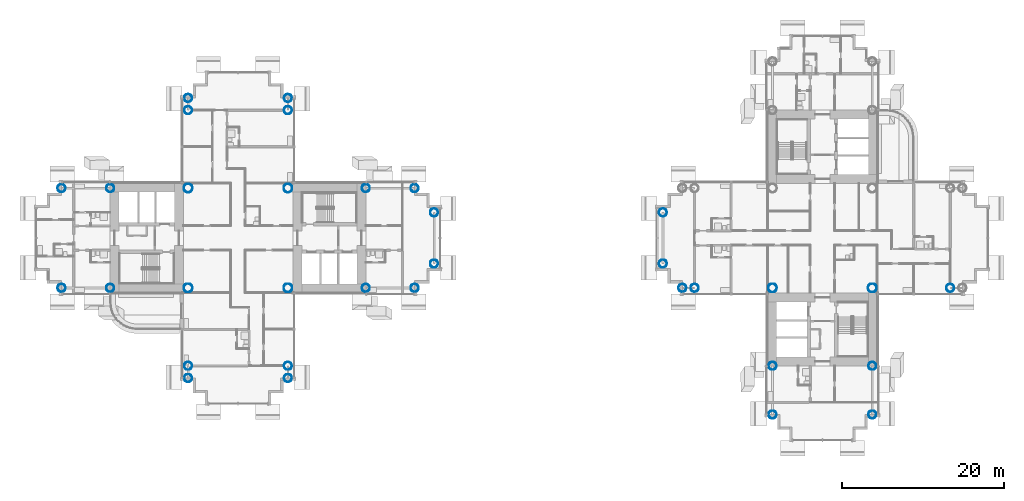
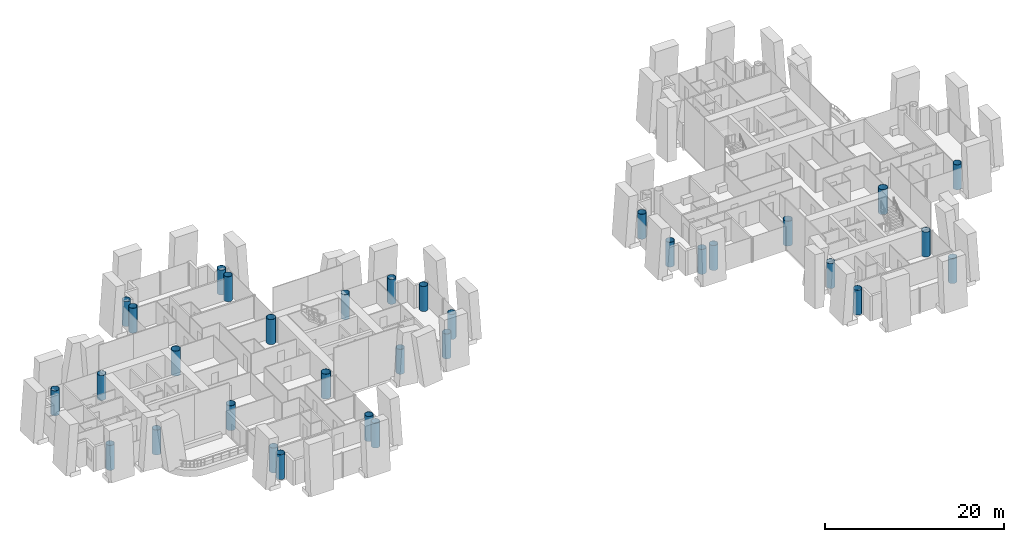
# One storey, part 1 of 24: 33 columns.
"""IFC4 building model written with IfcOpenShell, lengths in metres."""

from ifc_helpers import new_model, si_unit, direction, frame, origin, origin_2d, place, context, subcontext, project, spatial, hollow_circle, extrude, material, material_profile, profile_set, type_object, element, save


model = new_model("IFC4")

# Units and contexts
model_context = context("Model", 3, precision=1e-05, world=origin(), true_north=direction((0.0, 1.0)))
body_context = subcontext(model_context, "Body", "Model", "MODEL_VIEW")
ifc_project = project(units=[si_unit("LENGTHUNIT", "METRE"), si_unit("AREAUNIT", "SQUARE_METRE"), si_unit("VOLUMEUNIT", "CUBIC_METRE"), si_unit("PLANEANGLEUNIT", "RADIAN"), si_unit("MASSUNIT", "GRAM", prefix="KILO")], contexts=[model_context])

# Site, building, storey
site_placement = place(None, origin())
site = spatial("IfcSite", under=ifc_project, at=site_placement, CompositionType="ELEMENT")
building_placement = place(site_placement, origin())
building = spatial("IfcBuilding", under=site, at=building_placement, Name="Ipe Terrace Towers", CompositionType="ELEMENT")
storey_placement = place(building_placement, frame((0.0, 0.0, 38.10009765625)))
storey = spatial("IfcBuildingStorey", under=building, at=storey_placement, Name="L09", CompositionType="ELEMENT", Elevation=38.10009765625)

# Columns
ifc_material_1 = material(Name="Steel S355 tube with Concrete C60/75 fill", Category="concrete")
ifc_material_profile_1 = material_profile(ifc_material_1, hollow_circle(Radius=0.5, WallThickness=0.035888671875, at=origin_2d()), Name="CHS-1000x36")
ifc_profile_set_1 = profile_set([ifc_material_profile_1], Name="Steel S355 tube with Concrete C60/75 fill")
column_type_1 = type_object("IfcColumnType", Name="CH01 COLUMN CHS-1000x36", PredefinedType="COLUMN", material=ifc_profile_set_1)
for number, where, z_axis, x_axis, name in (
    (1, (-20.25, -6.14990234375, 0.0), (0.0, 0.0, 1.0), (1.0, 0.0, 0.0), "Column T1-C-A01"),
    (2, (-20.25, 6.14990234375, 0.0), (0.0, 0.0, 1.0), (1.0, 0.0, 0.0), "Column T1-C-A02"),
    (3, (-14.25, -6.14990234375, 0.0), (0.0, 0.0, 1.0), (1.0, 0.0, 0.0), "Column T1-C-A03"),
    (4, (-14.25, 6.14990234375, 0.0), (0.0, 0.0, 1.0), (1.0, 0.0, 0.0), "Column T1-C-A04"),
    (5, (-11.85009765625, -3.14990234375, 0.0), (0.0, 0.0, 1.0), (1.0, 0.0, 0.0), "Column T1-C-A05"),
    (6, (-11.85009765625, 3.14990234375, 0.0), (0.0, 0.0, 1.0), (1.0, 0.0, 0.0), "Column T1-C-A06"),
    (7, (-29.85009765625, 15.75, 0.0), (0.0, 0.0, 1.0), (1.0, 0.0, 0.0), "Column T1-C-B03"),
    (8, (-42.14990234375, 15.75, 0.0), (0.0, 0.0, 1.0), (1.0, 0.0, 0.0), "Column T1-C-B04"),
    (9, (-29.85009765625, 17.25, 0.0), (0.0, 0.0, 1.0), (1.0, 0.0, 0.0), "Column T1-C-B05"),
    (10, (-42.14990234375, 17.25, 0.0), (0.0, 0.0, 1.0), (1.0, 0.0, 0.0), "Column T1-C-B06"),
    (11, (-51.75, -6.14990234375, 0.0), (0.0, 0.0, 1.0), (1.0, 0.0, 0.0), "Column T1-C-C01"),
    (12, (-51.75, 6.14990234375, 0.0), (0.0, 0.0, 1.0), (1.0, 0.0, 0.0), "Column T1-C-C02"),
    (13, (-57.75, -6.14990234375, 0.0), (0.0, 0.0, 1.0), (1.0, 0.0, 0.0), "Column T1-C-C03"),
    (14, (-57.75, 6.14990234375, 0.0), (0.0, 0.0, 1.0), (1.0, 0.0, 0.0), "Column T1-C-C04"),
    (15, (-42.14990234375, -15.75, 0.0), (0.0, 0.0, 1.0), (1.0, 0.0, 0.0), "Column T1-C-D03"),
    (16, (-29.85009765625, -15.75, 0.0), (0.0, 0.0, 1.0), (1.0, 0.0, 0.0), "Column T1-C-D04"),
    (17, (-42.14990234375, -17.25, 0.0), (0.0, 0.0, 1.0), (1.0, 0.0, 0.0), "Column T1-C-D05"),
    (18, (-29.85009765625, -17.25, 0.0), (0.0, 0.0, 1.0), (1.0, 0.0, 0.0), "Column T1-C-D06"),
    (19, (20.25, -6.14990234375, 0.0), (0.0, 0.0, 1.0), (1.0, 0.0, 0.0), "Column T2-C-B04"),
    (20, (18.75, -6.14990234375, 0.0), (0.0, 0.0, 1.0), (1.0, 0.0, 0.0), "Column T2-C-B06"),
    (21, (16.35009765625, 3.14990234375, 0.0), (0.0, 0.0, 1.0), (1.0, 0.0, 0.0), "Column T2-C-B07"),
    (22, (16.35009765625, -3.14990234375, 0.0), (0.0, 0.0, 1.0), (1.0, 0.0, 0.0), "Column T2-C-B08"),
    (23, (42.14990234375, -15.75, 0.0), (0.0, 0.0, 1.0), (1.0, 0.0, 0.0), "Column T2-C-C01"),
    (24, (29.85009765625, -15.75, 0.0), (0.0, 0.0, 1.0), (1.0, 0.0, 0.0), "Column T2-C-C02"),
    (25, (42.14990234375, -21.75, 0.0), (0.0, 0.0, 1.0), (1.0, 0.0, 0.0), "Column T2-C-C03"),
    (26, (29.85009765625, -21.75, 0.0), (0.0, 0.0, 1.0), (1.0, 0.0, 0.0), "Column T2-C-C04"),
    (27, (51.75, -6.14990234375, 0.0), (0.0, 0.0, 1.0), (1.0, 0.0, 0.0), "Column T2-C-D03"),
):
    element("IfcColumn", number, at=place(storey_placement, frame(where, z_axis=z_axis, x_axis=x_axis)), inside=storey, type_object=column_type_1, Name=name, PredefinedType="COLUMN", context=body_context, shape_type="SweptSolid", body=[
        extrude(hollow_circle(Radius=0.5, WallThickness=0.035888671875, at=origin_2d()), origin(), (0.0, 0.0, 1.0), 3.39990234375),
    ])
ifc_material_2 = material(Name="Steel S355 tube with Concrete C60/75 fill", Category="concrete")
ifc_material_profile_2 = material_profile(ifc_material_2, hollow_circle(Radius=0.550048828125, WallThickness=0.0400390625, at=origin_2d()), Name="CHS-1100x40")
ifc_profile_set_2 = profile_set([ifc_material_profile_2], Name="Steel S355 tube with Concrete C60/75 fill")
column_type_2 = type_object("IfcColumnType", Name="CH02 COLUMN CHS-1100x40", PredefinedType="COLUMN", material=ifc_profile_set_2)
for number, where, z_axis, x_axis, name in (
    (28, (-42.14990234375, -6.14990234375, 0.0), (0.0, 0.0, 1.0), (1.0, 0.0, 0.0), "Column T1-C-E01"),
    (29, (-29.85009765625, -6.14990234375, 0.0), (0.0, 0.0, 1.0), (1.0, 0.0, 0.0), "Column T1-C-E02"),
    (30, (-29.85009765625, 6.14990234375, 0.0), (0.0, 0.0, 1.0), (1.0, 0.0, 0.0), "Column T1-C-E03"),
    (31, (-42.14990234375, 6.14990234375, 0.0), (0.0, 0.0, 1.0), (1.0, 0.0, 0.0), "Column T1-C-E04"),
    (32, (42.14990234375, -6.14990234375, 0.0), (0.0, 0.0, 1.0), (1.0, 0.0, 0.0), "Column T2-C-E01"),
    (33, (29.85009765625, -6.14990234375, 0.0), (0.0, 0.0, 1.0), (1.0, 0.0, 0.0), "Column T2-C-E04"),
):
    element("IfcColumn", number, at=place(storey_placement, frame(where, z_axis=z_axis, x_axis=x_axis)), inside=storey, type_object=column_type_2, Name=name, PredefinedType="COLUMN", context=body_context, shape_type="SweptSolid", body=[
        extrude(hollow_circle(Radius=0.550048828125, WallThickness=0.0400390625, at=origin_2d()), origin(), (0.0, 0.0, 1.0), 3.39990234375),
    ])

save(model, "model.ifc")
